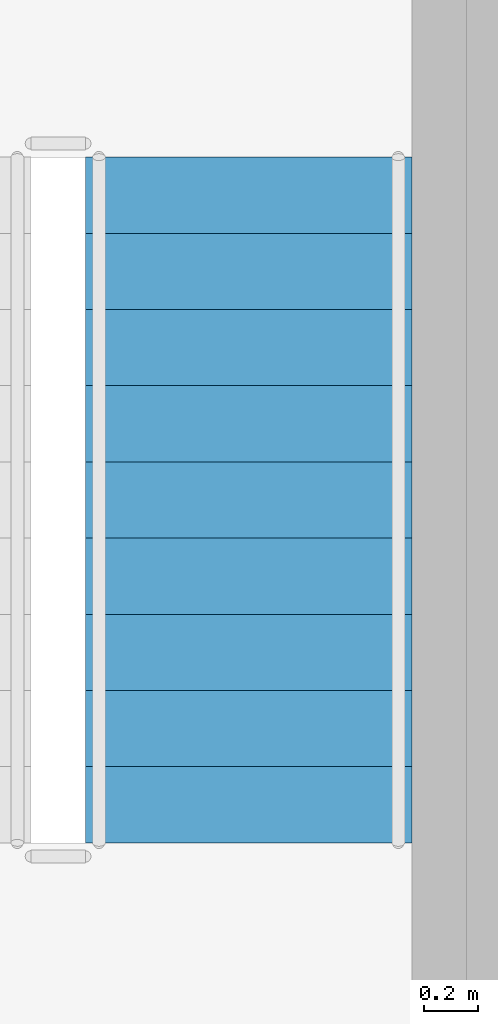
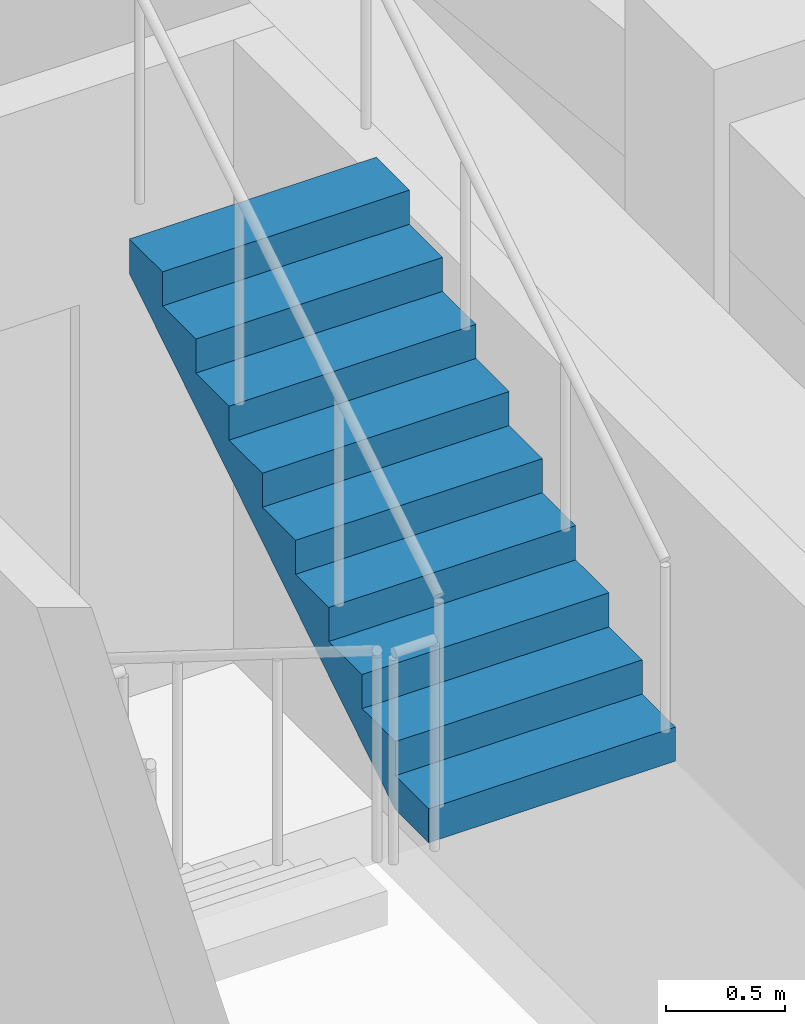
# One storey, part 9 of 16: 1 stair flight, 1 element without a shape of its own.
"""IFC4 building model written with IfcOpenShell, lengths in metres."""

from ifc_helpers import new_model, si_unit, direction, frame, origin, place, context, subcontext, project, spatial, polyline, outline, extrude, material, type_object, element, aggregate, save


model = new_model("IFC4")

# Units and contexts
model_context = context("Model", 3, precision=1e-05, world=origin(), true_north=direction((0.0, 1.0)))
body_context = subcontext(model_context, "Body", "Model", "MODEL_VIEW")
ifc_project = project(units=[si_unit("LENGTHUNIT", "METRE"), si_unit("AREAUNIT", "SQUARE_METRE"), si_unit("VOLUMEUNIT", "CUBIC_METRE"), si_unit("PLANEANGLEUNIT", "RADIAN"), si_unit("MASSUNIT", "GRAM", prefix="KILO")], contexts=[model_context])

# Site, building, storey
site_placement = place(None, origin())
site = spatial("IfcSite", under=ifc_project, at=site_placement, CompositionType="ELEMENT")
building_placement = place(site_placement, origin())
building = spatial("IfcBuilding", under=site, at=building_placement, Name="Kiln Ring Residences", CompositionType="ELEMENT")
storey_placement = place(building_placement, frame((0.0, 0.0, 276.699951171875)))
storey = spatial("IfcBuildingStorey", under=building, at=storey_placement, Name="L72", CompositionType="ELEMENT", Elevation=276.699951171875)

# Stair, stair flight
ifc_material_1 = material(Name="Concrete C40/50", Category="concrete")
stair_type = type_object("IfcStairType", Name="CORE-STAIR", PredefinedType="HALF_TURN_STAIR", material=ifc_material_1)
stair_placement = place(storey_placement, origin())
stair = element("IfcStair", 1, at=stair_placement, inside=storey, type_object=stair_type, Name="L72 stair E-STN", PredefinedType="HALF_TURN_STAIR")
ifc_material_2 = material(Name="Concrete C40/50", Category="concrete")
stair_flight_type = type_object("IfcStairFlightType", Name="CORE-STAIR-FLIGHT", PredefinedType="STRAIGHT", material=ifc_material_2)
stair_flight_placement = place(storey_placement, frame((22.800048828125, 5.8798828125, 1.75), z_axis=(0.0, 0.0, 1.0), x_axis=(0.0, 1.0, 0.0)))
stair_flight = element("IfcStairFlight", 2, at=stair_flight_placement, type_object=stair_flight_type, Name="E-STN flight 2", NumberOfRisers=10, NumberOfTreads=9, PredefinedType="STRAIGHT", RiserHeight=0.175, TreadLength=0.28, context=body_context, shape_type="SweptSolid", body=[
    extrude(outline(polyline([(0.0, 0.0), (0.0, 0.175048828125), (0.280029296875, 0.175048828125), (0.280029296875, 0.35009765625), (0.56005859375, 0.35009765625), (0.56005859375, 0.52490234375), (0.840087890625, 0.52490234375), (0.840087890625, 0.699951171875), (1.1201171875, 0.699951171875), (1.1201171875, 0.875), (1.39990234375, 0.875), (1.39990234375, 1.050048828125), (1.679931640625, 1.050048828125), (1.679931640625, 1.22509765625), (1.9599609375, 1.22509765625), (1.9599609375, 1.39990234375), (2.239990234375, 1.39990234375), (2.239990234375, 1.574951171875), (2.52001953125, 1.574951171875), (2.52001953125, 1.75), (2.52001953125, 1.398193359375), (0.28271484375, 0.0), (0.0, 0.0)])), frame((0.0, 0.60009765625, 0.0), z_axis=(0.0, -1.0, 0.0), x_axis=(1.0, 0.0, 0.0)), (0.0, 0.0, 1.0), 1.199951171875),
])
aggregate(stair, [stair_flight])

save(model, "model.ifc")
